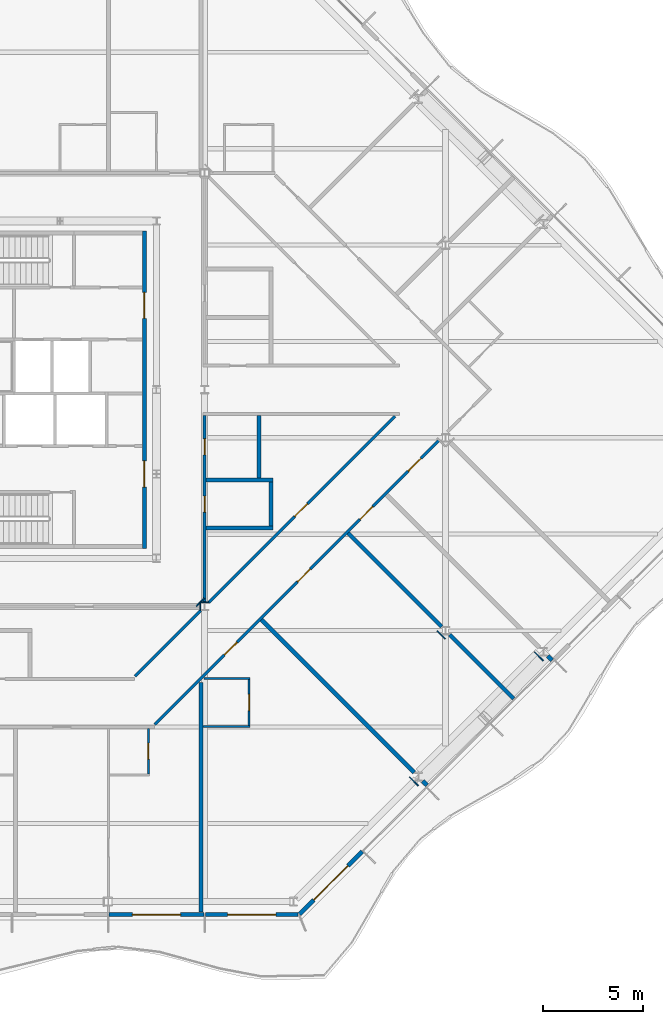
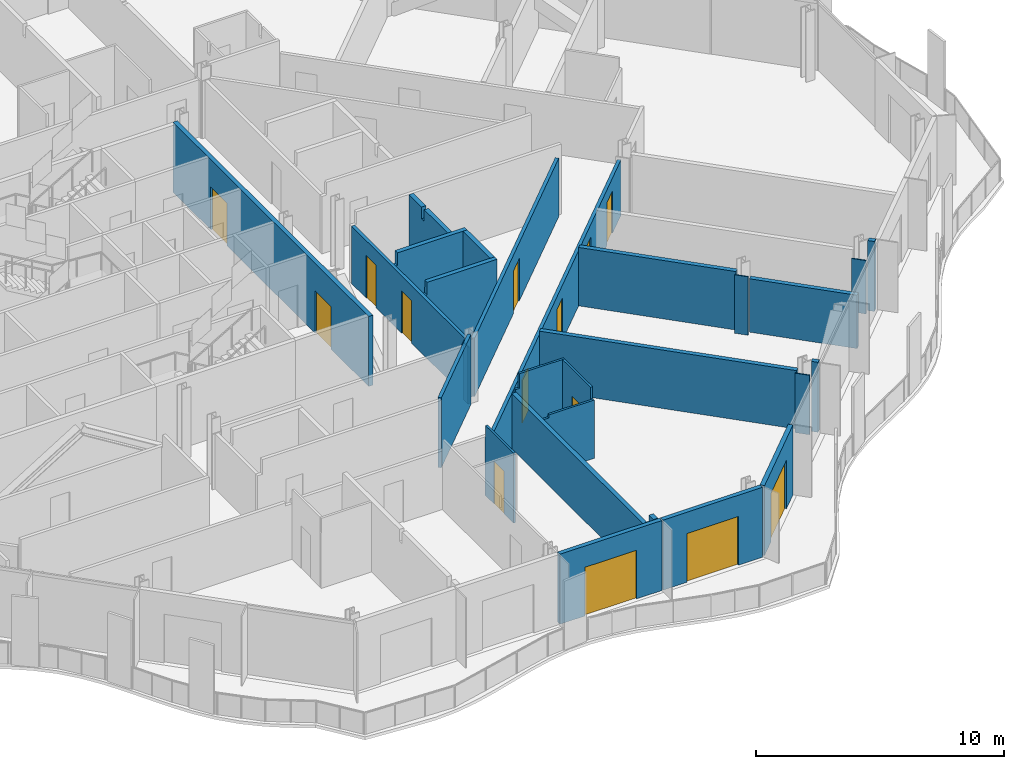
# One storey, part 9 of 17: 28 walls, 14 doors, 14 openings.
"""IFC4 building model written with IfcOpenShell, lengths in metres."""

from ifc_helpers import new_model, si_unit, direction, frame, frame_2d, origin, place, context, subcontext, project, spatial, polyline, rectangle, outline, extrude, material, layer, layer_set, type_object, element, fill, save


model = new_model("IFC4")

# Units and contexts
model_context = context("Model", 3, precision=1e-05, world=origin(), true_north=direction((0.0, 1.0)))
body_context = subcontext(model_context, "Body", "Model", "MODEL_VIEW")
ifc_project = project(units=[si_unit("LENGTHUNIT", "METRE"), si_unit("AREAUNIT", "SQUARE_METRE"), si_unit("VOLUMEUNIT", "CUBIC_METRE"), si_unit("PLANEANGLEUNIT", "RADIAN"), si_unit("MASSUNIT", "GRAM", prefix="KILO")], contexts=[model_context])

# Site, building, storey
site_placement = place(None, origin())
site = spatial("IfcSite", under=ifc_project, at=site_placement, CompositionType="ELEMENT")
building_placement = place(site_placement, origin())
building = spatial("IfcBuilding", under=site, at=building_placement, Name="Cairn Pilgrim Tower", CompositionType="ELEMENT")
storey_placement = place(building_placement, frame((0.0, 0.0, 225.0)))
storey = spatial("IfcBuildingStorey", under=building, at=storey_placement, Name="L57", CompositionType="ELEMENT", Elevation=225.0)

# Wall, opening, door
ifc_material_1 = material(Name="Bronze anodised aluminium insulated sandwich panel with mineral wool fill", Category="aluminium")
ifc_layer_1 = layer(ifc_material_1, 0.199951171875)
ifc_layer_set_1 = layer_set([ifc_layer_1], Name="BRONZE INFILL FRAME WALL 200")
wall_type_1 = type_object("IfcWallType", Name="BRONZE INFILL FRAME WALL 200", PredefinedType="NOTDEFINED", material=ifc_layer_set_1)
wall_1_placement = place(storey_placement, frame((14.429931640625, -23.75, 0.0), z_axis=(0.0, 0.0, 1.0), x_axis=(1.0, 0.0, 0.0)))
wall_1 = element("IfcWall", 1, at=wall_1_placement, inside=storey, type_object=wall_type_1, Name="Bronze infill frame wall IW-S3", PredefinedType="NOTDEFINED", context=body_context, shape_type="SweptSolid", body=[
    extrude(rectangle(XDim=4.739990234375, YDim=0.199951171875, at=frame_2d((2.3701171875, 0.0))), origin(), (0.0, 0.0, 1.0), 3.449951171875),
])
opening_1_placement = place(wall_1_placement, frame((1.169921875, 0.0, 0.0)))
opening_1 = element("IfcOpeningElement", 2, at=opening_1_placement, cuts=wall_1, Name="Opening 5714SB", PredefinedType="OPENING", context=body_context, shape_type="SweptSolid", body=[
    extrude(rectangle(XDim=2.39990234375, YDim=2.39990234375, at=frame_2d((1.199951171875, 1.199951171875))), frame((0.0, 0.10986328125, 0.0), z_axis=(0.0, -1.0, 0.0), x_axis=(1.0, 0.0, 0.0)), (0.0, 0.0, 1.0), 0.219970703125),
])
ifc_material_2 = material(Name="Bronze anodised aluminium frame with tinted low-E glass", Category="aluminium")
door_type_1 = type_object("IfcDoorType", Name="BALCONY SLIDING DOOR 2400x2400", OperationType="DOUBLE_DOOR_SLIDING", PredefinedType="DOOR", material=ifc_material_2)
door_1_placement = place(opening_1_placement, origin())
door_1 = element("IfcDoor", 3, at=door_1_placement, inside=storey, type_object=door_type_1, Name="Balcony sliding door 5714SB", OperationType="SINGLE_SWING_LEFT", OverallHeight=2.39990234375, OverallWidth=2.39990234375, PredefinedType="DOOR", context=body_context, shape_type="SweptSolid", body=[
    extrude(rectangle(XDim=2.39990234375, YDim=2.39990234375, at=frame_2d((1.199951171875, 1.199951171875))), frame((0.0, 0.02490234375, 0.0), z_axis=(0.0, -1.0, 0.0), x_axis=(1.0, 0.0, 0.0)), (0.0, 0.0, 1.0), 0.050048828125),
])
fill(opening_1, door_1)

wall_2_placement = place(storey_placement, frame((19.22998046875, -23.75, 0.0), z_axis=(0.0, 0.0, 1.0), x_axis=(1.0, 0.0, 0.0)))
wall_2 = element("IfcWall", 4, at=wall_2_placement, inside=storey, type_object=wall_type_1, Name="Bronze infill frame wall IW-S4", PredefinedType="NOTDEFINED", context=body_context, shape_type="SweptSolid", body=[
    extrude(rectangle(XDim=4.62646484375, YDim=0.199951171875, at=frame_2d((2.313232421875, 0.0))), origin(), (0.0, 0.0, 1.0), 3.449951171875),
])
opening_2_placement = place(wall_2_placement, frame((1.11865234375, 0.0, 0.0)))
opening_2 = element("IfcOpeningElement", 5, at=opening_2_placement, cuts=wall_2, Name="Opening 5701B", PredefinedType="OPENING", context=body_context, shape_type="SweptSolid", body=[
    extrude(rectangle(XDim=2.39990234375, YDim=2.39990234375, at=frame_2d((1.199951171875, 1.199951171875))), frame((0.0, 0.10986328125, 0.0), z_axis=(0.0, -1.0, 0.0), x_axis=(1.0, 0.0, 0.0)), (0.0, 0.0, 1.0), 0.219970703125),
])
door_2_placement = place(opening_2_placement, origin())
door_2 = element("IfcDoor", 6, at=door_2_placement, inside=storey, type_object=door_type_1, Name="Balcony sliding door 5701B", OperationType="SINGLE_SWING_LEFT", OverallHeight=2.39990234375, OverallWidth=2.39990234375, PredefinedType="DOOR", context=body_context, shape_type="SweptSolid", body=[
    extrude(rectangle(XDim=2.39990234375, YDim=2.39990234375, at=frame_2d((1.199951171875, 1.199951171875))), frame((0.0, 0.02490234375, 0.0), z_axis=(0.0, -1.0, 0.0), x_axis=(1.0, 0.0, 0.0)), (0.0, 0.0, 1.0), 0.050048828125),
])
fill(opening_2, door_2)

wall_3_placement = place(storey_placement, frame((23.9248046875, -23.7216796875, 0.0), z_axis=(0.0, 0.0, 1.0), x_axis=(0.707106781187, 0.707106781187, 0.0)))
wall_3 = element("IfcWall", 7, at=wall_3_placement, inside=storey, type_object=wall_type_1, Name="Bronze infill frame wall IW-SE1", PredefinedType="NOTDEFINED", context=body_context, shape_type="SweptSolid", body=[
    extrude(rectangle(XDim=4.4208984375, YDim=0.199951171875, at=frame_2d((2.21044921875, 0.0))), origin(), (0.0, 0.0, 1.0), 3.449951171875),
])
opening_3_placement = place(wall_3_placement, frame((1.00537109375, 0.0, 0.0)))
opening_3 = element("IfcOpeningElement", 8, at=opening_3_placement, cuts=wall_3, Name="Opening 5701B2", PredefinedType="OPENING", context=body_context, shape_type="SweptSolid", body=[
    extrude(rectangle(XDim=2.39990234375, YDim=2.39990234375, at=frame_2d((1.199951171875, 1.199951171875))), frame((0.0, 0.10986328125, 0.0), z_axis=(0.0, -1.0, 0.0), x_axis=(1.0, 0.0, 0.0)), (0.0, 0.0, 1.0), 0.219970703125),
])
door_3_placement = place(opening_3_placement, origin())
door_3 = element("IfcDoor", 9, at=door_3_placement, inside=storey, type_object=door_type_1, Name="Balcony sliding door 5701B2", OperationType="SINGLE_SWING_LEFT", OverallHeight=2.39990234375, OverallWidth=2.39990234375, PredefinedType="DOOR", context=body_context, shape_type="SweptSolid", body=[
    extrude(rectangle(XDim=2.39990234375, YDim=2.39990234375, at=frame_2d((1.199951171875, 1.199951171875))), frame((0.0, 0.02490234375, 0.0), z_axis=(0.0, -1.0, 0.0), x_axis=(1.0, 0.0, 0.0)), (0.0, 0.0, 1.0), 0.050048828125),
])
fill(opening_3, door_3)

# Wall, openings, doors
ifc_material_3 = material(Name="Concrete C32/40", Category="concrete")
ifc_layer_2 = layer(ifc_material_3, 0.199951171875)
ifc_layer_set_2 = layer_set([ifc_layer_2], Name="CORE OUTER WALL 200 EI 120")
wall_type_2 = type_object("IfcWallType", Name="CORE OUTER WALL 200 EI 120", PredefinedType="SOLIDWALL", material=ifc_layer_set_2)
wall_4_placement = place(storey_placement, frame((16.199951171875, -5.5, 0.0), z_axis=(0.0, 0.0, 1.0), x_axis=(0.0, 1.0, 0.0)))
wall_4 = element("IfcWall", 10, at=wall_4_placement, inside=storey, type_object=wall_type_2, Name="CW:L57:V31", PredefinedType="SOLIDWALL", context=body_context, shape_type="SweptSolid", body=[
    extrude(rectangle(XDim=15.800048828125, YDim=0.199951171875, at=frame_2d((7.89990234375, 0.0))), origin(), (0.0, 0.0, 1.0), 3.449951171875),
])
opening_4_placement = place(wall_4_placement, frame((3.050048828125, 0.0, 0.0)))
opening_4 = element("IfcOpeningElement", 11, at=opening_4_placement, cuts=wall_4, Name="Opening CD-E1", PredefinedType="OPENING", context=body_context, shape_type="SweptSolid", body=[
    extrude(rectangle(XDim=1.300048828125, YDim=2.10009765625, at=frame_2d((0.64990234375, 1.050048828125))), frame((0.0, 0.10986328125, 0.0), z_axis=(0.0, -1.0, 0.0), x_axis=(1.0, 0.0, 0.0)), (0.0, 0.0, 1.0), 0.219970703125),
])
opening_5_placement = place(wall_4_placement, frame((11.449951171875, 0.0, 0.0)))
opening_5 = element("IfcOpeningElement", 12, at=opening_5_placement, cuts=wall_4, Name="Opening CD-E2", PredefinedType="OPENING", context=body_context, shape_type="SweptSolid", body=[
    extrude(rectangle(XDim=1.300048828125, YDim=2.10009765625, at=frame_2d((0.64990234375, 1.050048828125))), frame((0.0, 0.10986328125, 0.0), z_axis=(0.0, -1.0, 0.0), x_axis=(1.0, 0.0, 0.0)), (0.0, 0.0, 1.0), 0.219970703125),
])
ifc_material_4 = material(Name="Painted steel", Category="steel")
door_type_2 = type_object("IfcDoorType", Name="CORE LOBBY DOOR 1300x2100", OperationType="DOUBLE_DOOR_SINGLE_SWING", PredefinedType="DOOR", material=ifc_material_4)
door_4_placement = place(opening_4_placement, origin())
door_4 = element("IfcDoor", 13, at=door_4_placement, inside=storey, type_object=door_type_2, Name="CD-E1", OperationType="DOUBLE_DOOR_SINGLE_SWING", OverallHeight=2.10009765625, OverallWidth=1.300048828125, PredefinedType="DOOR", context=body_context, shape_type="SweptSolid", body=[
    extrude(rectangle(XDim=1.300048828125, YDim=2.10009765625, at=frame_2d((0.64990234375, 1.050048828125))), frame((0.0, 0.02490234375, 0.0), z_axis=(0.0, -1.0, 0.0), x_axis=(1.0, 0.0, 0.0)), (0.0, 0.0, 1.0), 0.050048828125),
])
fill(opening_4, door_4)
door_5_placement = place(opening_5_placement, origin())
door_5 = element("IfcDoor", 14, at=door_5_placement, inside=storey, type_object=door_type_2, Name="CD-E2", OperationType="DOUBLE_DOOR_SINGLE_SWING", OverallHeight=2.10009765625, OverallWidth=1.300048828125, PredefinedType="DOOR", context=body_context, shape_type="SweptSolid", body=[
    extrude(rectangle(XDim=1.300048828125, YDim=2.10009765625, at=frame_2d((0.64990234375, 1.050048828125))), frame((0.0, 0.02490234375, 0.0), z_axis=(0.0, -1.0, 0.0), x_axis=(1.0, 0.0, 0.0)), (0.0, 0.0, 1.0), 0.050048828125),
])
fill(opening_5, door_5)

# Wall, opening, door
ifc_material_5 = material(Name="Gypsum partition")
ifc_layer_3 = layer(ifc_material_5, 0.10009765625)
ifc_layer_set_3 = layer_set([ifc_layer_3], Name="PARTITION 100 DRYWALL")
wall_type_3 = type_object("IfcWallType", Name="PARTITION 100 DRYWALL", PredefinedType="PARTITIONING", material=ifc_layer_set_3)
wall_5_placement = place(storey_placement, frame((16.39990234375, -16.75, 0.0), z_axis=(0.0, 0.0, 1.0), x_axis=(0.0, 1.0, 0.0)))
wall_5 = element("IfcWall", 15, at=wall_5_placement, inside=storey, type_object=wall_type_3, Name="PARTITION W009", PredefinedType="PARTITIONING", context=body_context, shape_type="SweptSolid", body=[
    extrude(outline(polyline([(0.0, 0.0), (2.27490234375, 0.0), (2.27490234375, 2.8798828125), (2.2451171875, 2.8798828125), (2.242919921875, 3.449951171875), (0.0, 3.449951171875), (0.0, 0.0)])), frame((0.0, 0.050048828125, 0.0), z_axis=(0.0, -1.0, 0.0), x_axis=(1.0, 0.0, 0.0)), (0.0, 0.0, 1.0), 0.10009765625),
])
opening_6_placement = place(wall_5_placement, frame((0.75, 0.0, 0.0)))
opening_6 = element("IfcOpeningElement", 16, at=opening_6_placement, cuts=wall_5, Name="Opening 5714A", PredefinedType="OPENING", context=body_context, shape_type="SweptSolid", body=[
    extrude(rectangle(XDim=0.800048828125, YDim=2.10009765625, at=frame_2d((0.39990234375, 1.050048828125))), frame((0.0, 0.06005859375, 0.0), z_axis=(0.0, -1.0, 0.0), x_axis=(1.0, 0.0, 0.0)), (0.0, 0.0, 1.0), 0.1201171875),
])
ifc_material_6 = material(Name="Timber door leaf", Category="wood")
door_type_3 = type_object("IfcDoorType", Name="WC DOOR 800x2100", OperationType="NOTDEFINED", PredefinedType="DOOR", material=ifc_material_6)
door_6_placement = place(opening_6_placement, frame((0.800048828125, 0.0, 0.0), z_axis=(0.0, 0.0, 1.0), x_axis=(-1.0, 0.0, 0.0)))
door_6 = element("IfcDoor", 17, at=door_6_placement, inside=storey, type_object=door_type_3, Name="DOOR 5714A", OperationType="SINGLE_SWING_RIGHT", OverallHeight=2.10009765625, OverallWidth=0.800048828125, PredefinedType="DOOR", context=body_context, shape_type="SweptSolid", body=[
    extrude(rectangle(XDim=0.800048828125, YDim=2.10009765625, at=frame_2d((0.39990234375, 1.050048828125))), frame((0.0, 0.02490234375, 0.0), z_axis=(0.0, -1.0, 0.0), x_axis=(1.0, 0.0, 0.0)), (0.0, 0.0, 1.0), 0.050048828125),
])
fill(opening_6, door_6)

# Wall
wall_6_placement = place(storey_placement, frame((19.114013671875, -14.3798828125, 0.0), z_axis=(0.0, 0.0, 1.0), x_axis=(1.0, 0.0, 0.0)))
element("IfcWall", 18, at=wall_6_placement, inside=storey, type_object=wall_type_3, Name="PARTITION W012", PredefinedType="PARTITIONING", context=body_context, shape_type="SweptSolid", body=[
    extrude(outline(polyline([(0.0, 0.0), (2.35009765625, 0.0), (2.35009765625, 2.8798828125), (0.236083984375, 2.8798828125), (0.23388671875, 2.72998046875), (0.0, 2.72998046875), (0.0, 0.0)])), frame((0.0, 0.050048828125, 0.0), z_axis=(0.0, -1.0, 0.0), x_axis=(1.0, 0.0, 0.0)), (0.0, 0.0, 1.0), 0.10009765625),
])

# Wall, opening, door
wall_7_placement = place(storey_placement, frame((21.4140625, -14.330078125, 0.0), z_axis=(0.0, 0.0, 1.0), x_axis=(0.0, 1.0, 0.0)))
wall_7 = element("IfcWall", 19, at=wall_7_placement, inside=storey, type_object=wall_type_3, Name="PARTITION W014", PredefinedType="PARTITIONING", context=body_context, shape_type="SweptSolid", body=[
    extrude(outline(polyline([(0.0, 0.0), (2.300048828125, 0.0), (2.300048828125, 3.449951171875), (0.034912109375, 3.449951171875), (0.032958984375, 2.8798828125), (0.0, 2.8798828125), (0.0, 0.0)])), frame((0.0, 0.050048828125, 0.0), z_axis=(0.0, -1.0, 0.0), x_axis=(1.0, 0.0, 0.0)), (0.0, 0.0, 1.0), 0.10009765625),
])
opening_7_placement = place(wall_7_placement, frame((0.75, 0.0, 0.0)))
opening_7 = element("IfcOpeningElement", 20, at=opening_7_placement, cuts=wall_7, Name="Opening 5701A", PredefinedType="OPENING", context=body_context, shape_type="SweptSolid", body=[
    extrude(rectangle(XDim=0.800048828125, YDim=2.10009765625, at=frame_2d((0.39990234375, 1.050048828125))), frame((0.0, 0.06005859375, 0.0), z_axis=(0.0, -1.0, 0.0), x_axis=(1.0, 0.0, 0.0)), (0.0, 0.0, 1.0), 0.1201171875),
])
door_7_placement = place(opening_7_placement, frame((0.800048828125, 0.0, 0.0), z_axis=(0.0, 0.0, 1.0), x_axis=(-1.0, 0.0, 0.0)))
door_7 = element("IfcDoor", 21, at=door_7_placement, inside=storey, type_object=door_type_3, Name="DOOR 5701A", OperationType="SINGLE_SWING_LEFT", OverallHeight=2.10009765625, OverallWidth=0.800048828125, PredefinedType="DOOR", context=body_context, shape_type="SweptSolid", body=[
    extrude(rectangle(XDim=0.800048828125, YDim=2.10009765625, at=frame_2d((0.39990234375, 1.050048828125))), frame((0.0, 0.02490234375, 0.0), z_axis=(0.0, -1.0, 0.0), x_axis=(1.0, 0.0, 0.0)), (0.0, 0.0, 1.0), 0.050048828125),
])
fill(opening_7, door_7)

# Wall
wall_8_placement = place(storey_placement, frame((19.170166015625, -11.97998046875, 0.0), z_axis=(0.0, 0.0, 1.0), x_axis=(1.0, 0.0, 0.0)))
element("IfcWall", 22, at=wall_8_placement, inside=storey, type_object=wall_type_3, Name="PARTITION W019", PredefinedType="PARTITIONING", context=body_context, shape_type="SweptSolid", body=[
    extrude(outline(polyline([(0.0, 0.0), (2.2939453125, 0.0), (2.2939453125, 3.449951171875), (0.179931640625, 3.449951171875), (0.177978515625, 2.72998046875), (0.0, 2.72998046875), (0.0, 0.0)])), frame((0.0, 0.050048828125, 0.0), z_axis=(0.0, -1.0, 0.0), x_axis=(1.0, 0.0, 0.0)), (0.0, 0.0, 1.0), 0.10009765625),
])

# Wall, openings, doors
ifc_layer_4 = layer(ifc_material_5, 0.14990234375)
ifc_layer_set_4 = layer_set([ifc_layer_4], Name="PARTITION 150 DRYWALL EI 60")
wall_type_4 = type_object("IfcWallType", Name="PARTITION 150 DRYWALL EI 60", PredefinedType="PARTITIONING", material=ifc_layer_set_4)
wall_9_placement = place(storey_placement, frame((16.721923828125, -14.27197265625, 0.0), z_axis=(0.0, 0.0, 1.0), x_axis=(0.707106781187, 0.707106781187, 0.0)))
wall_9 = element("IfcWall", 23, at=wall_9_placement, inside=storey, type_object=wall_type_4, Name="PARTITION W013", PredefinedType="PARTITIONING", context=body_context, shape_type="SweptSolid", body=[
    extrude(rectangle(XDim=20.04931640625, YDim=0.14990234375, at=frame_2d((10.024658203125, 0.0))), origin(), (0.0, 0.0, 1.0), 2.72998046875),
])
opening_8_placement = place(wall_9_placement, frame((4.891845703125, 0.0, 0.0)))
opening_8 = element("IfcOpeningElement", 24, at=opening_8_placement, cuts=wall_9, Name="Opening 5701", PredefinedType="OPENING", context=body_context, shape_type="SweptSolid", body=[
    extrude(rectangle(XDim=0.89990234375, YDim=2.10009765625, at=frame_2d((0.449951171875, 1.050048828125))), frame((0.0, 0.0849609375, 0.0), z_axis=(0.0, -1.0, 0.0), x_axis=(1.0, 0.0, 0.0)), (0.0, 0.0, 1.0), 0.169921875),
])
opening_9_placement = place(wall_9_placement, frame((10.0419921875, 0.0, 0.0)))
opening_9 = element("IfcOpeningElement", 25, at=opening_9_placement, cuts=wall_9, Name="Opening 5702", PredefinedType="OPENING", context=body_context, shape_type="SweptSolid", body=[
    extrude(rectangle(XDim=0.89990234375, YDim=2.10009765625, at=frame_2d((0.449951171875, 1.050048828125))), frame((0.0, 0.0849609375, 0.0), z_axis=(0.0, -1.0, 0.0), x_axis=(1.0, 0.0, 0.0)), (0.0, 0.0, 1.0), 0.169921875),
])
opening_10_placement = place(wall_9_placement, frame((14.443115234375, 0.0, 0.0)))
opening_10 = element("IfcOpeningElement", 26, at=opening_10_placement, cuts=wall_9, Name="Opening 5703", PredefinedType="OPENING", context=body_context, shape_type="SweptSolid", body=[
    extrude(rectangle(XDim=0.89990234375, YDim=2.10009765625, at=frame_2d((0.449951171875, 1.050048828125))), frame((0.0, 0.0849609375, 0.0), z_axis=(0.0, -1.0, 0.0), x_axis=(1.0, 0.0, 0.0)), (0.0, 0.0, 1.0), 0.169921875),
])
opening_11_placement = place(wall_9_placement, frame((17.837158203125, 0.0, 0.0)))
opening_11 = element("IfcOpeningElement", 27, at=opening_11_placement, cuts=wall_9, Name="Opening 5704", PredefinedType="OPENING", context=body_context, shape_type="SweptSolid", body=[
    extrude(rectangle(XDim=0.89990234375, YDim=2.10009765625, at=frame_2d((0.449951171875, 1.050048828125))), frame((0.0, 0.0849609375, 0.0), z_axis=(0.0, -1.0, 0.0), x_axis=(1.0, 0.0, 0.0)), (0.0, 0.0, 1.0), 0.169921875),
])
door_type_4 = type_object("IfcDoorType", Name="ROOM DOOR 900x2100 FD30S", OperationType="NOTDEFINED", PredefinedType="DOOR", material=ifc_material_6)
door_8_placement = place(opening_8_placement, frame((0.89990234375, 0.0, 0.0), z_axis=(0.0, 0.0, 1.0), x_axis=(-1.0, 0.0, 0.0)))
door_8 = element("IfcDoor", 28, at=door_8_placement, inside=storey, type_object=door_type_4, Name="DOOR 5701", OperationType="SINGLE_SWING_LEFT", OverallHeight=2.10009765625, OverallWidth=0.89990234375, PredefinedType="DOOR", context=body_context, shape_type="SweptSolid", body=[
    extrude(rectangle(XDim=0.89990234375, YDim=2.10009765625, at=frame_2d((0.449951171875, 1.050048828125))), frame((0.0, 0.02490234375, 0.0), z_axis=(0.0, -1.0, 0.0), x_axis=(1.0, 0.0, 0.0)), (0.0, 0.0, 1.0), 0.050048828125),
])
fill(opening_8, door_8)
door_type_5 = type_object("IfcDoorType", Name="SERVICE DOOR 900x2100 FD30S", OperationType="NOTDEFINED", PredefinedType="DOOR", material=ifc_material_6)
door_9_placement = place(opening_9_placement, frame((0.89990234375, 0.0, 0.0), z_axis=(0.0, 0.0, 1.0), x_axis=(-1.0, 0.0, 0.0)))
door_9 = element("IfcDoor", 29, at=door_9_placement, inside=storey, type_object=door_type_5, Name="DOOR 5702", OperationType="SINGLE_SWING_LEFT", OverallHeight=2.10009765625, OverallWidth=0.89990234375, PredefinedType="DOOR", context=body_context, shape_type="SweptSolid", body=[
    extrude(rectangle(XDim=0.89990234375, YDim=2.10009765625, at=frame_2d((0.449951171875, 1.050048828125))), frame((0.0, 0.02490234375, 0.0), z_axis=(0.0, -1.0, 0.0), x_axis=(1.0, 0.0, 0.0)), (0.0, 0.0, 1.0), 0.050048828125),
])
fill(opening_9, door_9)
door_10_placement = place(opening_10_placement, frame((0.89990234375, 0.0, 0.0), z_axis=(0.0, 0.0, 1.0), x_axis=(-1.0, 0.0, 0.0)))
door_10 = element("IfcDoor", 30, at=door_10_placement, inside=storey, type_object=door_type_5, Name="DOOR 5703", OperationType="SINGLE_SWING_LEFT", OverallHeight=2.10009765625, OverallWidth=0.89990234375, PredefinedType="DOOR", context=body_context, shape_type="SweptSolid", body=[
    extrude(rectangle(XDim=0.89990234375, YDim=2.10009765625, at=frame_2d((0.449951171875, 1.050048828125))), frame((0.0, 0.02490234375, 0.0), z_axis=(0.0, -1.0, 0.0), x_axis=(1.0, 0.0, 0.0)), (0.0, 0.0, 1.0), 0.050048828125),
])
fill(opening_10, door_10)
door_11_placement = place(opening_11_placement, frame((0.89990234375, 0.0, 0.0), z_axis=(0.0, 0.0, 1.0), x_axis=(-1.0, 0.0, 0.0)))
door_11 = element("IfcDoor", 31, at=door_11_placement, inside=storey, type_object=door_type_5, Name="DOOR 5704", OperationType="SINGLE_SWING_LEFT", OverallHeight=2.10009765625, OverallWidth=0.89990234375, PredefinedType="DOOR", context=body_context, shape_type="SweptSolid", body=[
    extrude(rectangle(XDim=0.89990234375, YDim=2.10009765625, at=frame_2d((0.449951171875, 1.050048828125))), frame((0.0, 0.02490234375, 0.0), z_axis=(0.0, -1.0, 0.0), x_axis=(1.0, 0.0, 0.0)), (0.0, 0.0, 1.0), 0.050048828125),
])
fill(opening_11, door_11)

# Wall
wall_10_placement = place(storey_placement, frame((15.72802734375, -11.8720703125, 0.0), z_axis=(0.0, 0.0, 1.0), x_axis=(0.707080416772, 0.707133144618, 0.0)))
element("IfcWall", 32, at=wall_10_placement, inside=storey, type_object=wall_type_4, Name="PARTITION W024", PredefinedType="PARTITIONING", context=body_context, shape_type="SweptSolid", body=[
    extrude(rectangle(XDim=4.630126953125, YDim=0.14990234375, at=frame_2d((2.31494140625, 0.0))), origin(), (0.0, 0.0, 1.0), 3.449951171875),
])

# Wall, openings, doors
wall_11_placement = place(storey_placement, frame((19.199951171875, -8.20361328125, 0.0), z_axis=(0.0, 0.0, 1.0), x_axis=(0.0, 1.0, 0.0)))
wall_11 = element("IfcWall", 33, at=wall_11_placement, inside=storey, type_object=wall_type_4, Name="PARTITION W033", PredefinedType="PARTITIONING", context=body_context, shape_type="SweptSolid", body=[
    extrude(rectangle(XDim=9.32861328125, YDim=0.14990234375, at=frame_2d((4.664306640625, 0.0))), origin(), (0.0, 0.0, 1.0), 2.830078125),
])
opening_12_placement = place(wall_11_placement, frame((7.353515625, 0.0, 0.0)))
opening_12 = element("IfcOpeningElement", 34, at=opening_12_placement, cuts=wall_11, Name="Opening 5715", PredefinedType="OPENING", context=body_context, shape_type="SweptSolid", body=[
    extrude(rectangle(XDim=0.800048828125, YDim=2.10009765625, at=frame_2d((0.39990234375, 1.050048828125))), frame((0.0, 0.0849609375, 0.0), z_axis=(0.0, -1.0, 0.0), x_axis=(1.0, 0.0, 0.0)), (0.0, 0.0, 1.0), 0.169921875),
])
opening_13_placement = place(wall_11_placement, frame((4.50341796875, 0.0, 0.0)))
opening_13 = element("IfcOpeningElement", 35, at=opening_13_placement, cuts=wall_11, Name="Opening 5718", PredefinedType="OPENING", context=body_context, shape_type="SweptSolid", body=[
    extrude(rectangle(XDim=0.800048828125, YDim=2.10009765625, at=frame_2d((0.39990234375, 1.050048828125))), frame((0.0, 0.0849609375, 0.0), z_axis=(0.0, -1.0, 0.0), x_axis=(1.0, 0.0, 0.0)), (0.0, 0.0, 1.0), 0.169921875),
])
door_type_6 = type_object("IfcDoorType", Name="WC DOOR 800x2100 FD30S", OperationType="NOTDEFINED", PredefinedType="DOOR", material=ifc_material_6)
door_12_placement = place(opening_12_placement, frame((0.800048828125, 0.0, 0.0), z_axis=(0.0, 0.0, 1.0), x_axis=(-1.0, 0.0, 0.0)))
door_12 = element("IfcDoor", 36, at=door_12_placement, inside=storey, type_object=door_type_6, Name="DOOR 5715", OperationType="SINGLE_SWING_RIGHT", OverallHeight=2.10009765625, OverallWidth=0.800048828125, PredefinedType="DOOR", context=body_context, shape_type="SweptSolid", body=[
    extrude(rectangle(XDim=0.800048828125, YDim=2.10009765625, at=frame_2d((0.39990234375, 1.050048828125))), frame((0.0, 0.02490234375, 0.0), z_axis=(0.0, -1.0, 0.0), x_axis=(1.0, 0.0, 0.0)), (0.0, 0.0, 1.0), 0.050048828125),
])
fill(opening_12, door_12)
door_13_placement = place(opening_13_placement, frame((0.800048828125, 0.0, 0.0), z_axis=(0.0, 0.0, 1.0), x_axis=(-1.0, 0.0, 0.0)))
door_13 = element("IfcDoor", 37, at=door_13_placement, inside=storey, type_object=door_type_6, Name="DOOR 5718", OperationType="SINGLE_SWING_RIGHT", OverallHeight=2.10009765625, OverallWidth=0.800048828125, PredefinedType="DOOR", context=body_context, shape_type="SweptSolid", body=[
    extrude(rectangle(XDim=0.800048828125, YDim=2.10009765625, at=frame_2d((0.39990234375, 1.050048828125))), frame((0.0, 0.02490234375, 0.0), z_axis=(0.0, -1.0, 0.0), x_axis=(1.0, 0.0, 0.0)), (0.0, 0.0, 1.0), 0.050048828125),
])
fill(opening_13, door_13)

# Wall, opening, door
wall_12_placement = place(storey_placement, frame((19.39794921875, -8.201904296875, 0.0), z_axis=(0.0, 0.0, 1.0), x_axis=(0.707116088468, 0.707097473782, 0.0)))
wall_12 = element("IfcWall", 38, at=wall_12_placement, inside=storey, type_object=wall_type_4, Name="PARTITION W034", PredefinedType="PARTITIONING", context=body_context, shape_type="SweptSolid", body=[
    extrude(rectangle(XDim=13.115478515625, YDim=0.14990234375, at=frame_2d((6.5576171875, 0.0))), origin(), (0.0, 0.0, 1.0), 2.8798828125),
])
opening_14_placement = place(wall_12_placement, frame((6.05810546875, 0.0, 0.0)))
opening_14 = element("IfcOpeningElement", 39, at=opening_14_placement, cuts=wall_12, Name="Opening 5720", PredefinedType="OPENING", context=body_context, shape_type="SweptSolid", body=[
    extrude(rectangle(XDim=0.89990234375, YDim=2.10009765625, at=frame_2d((0.449951171875, 1.050048828125))), frame((0.0, 0.0849609375, 0.0), z_axis=(0.0, -1.0, 0.0), x_axis=(1.0, 0.0, 0.0)), (0.0, 0.0, 1.0), 0.169921875),
])
door_14_placement = place(opening_14_placement, origin())
door_14 = element("IfcDoor", 40, at=door_14_placement, inside=storey, type_object=door_type_5, Name="DOOR 5720", OperationType="SINGLE_SWING_LEFT", OverallHeight=2.10009765625, OverallWidth=0.89990234375, PredefinedType="DOOR", context=body_context, shape_type="SweptSolid", body=[
    extrude(rectangle(XDim=0.89990234375, YDim=2.10009765625, at=frame_2d((0.449951171875, 1.050048828125))), frame((0.0, 0.02490234375, 0.0), z_axis=(0.0, -1.0, 0.0), x_axis=(1.0, 0.0, 0.0)), (0.0, 0.0, 1.0), 0.050048828125),
])
fill(opening_14, door_14)

# Walls
ifc_layer_5 = layer(ifc_material_5, 0.050048828125)
ifc_layer_set_5 = layer_set([ifc_layer_5], Name="PARTITION 50 DRYWALL EI 60")
wall_type_5 = type_object("IfcWallType", Name="PARTITION 50 DRYWALL EI 60", PredefinedType="PARTITIONING", material=ifc_layer_set_5)
wall_13_placement = place(storey_placement, frame((29.833740234375, -17.324462890625, 0.0), z_axis=(0.0, 0.0, 1.0), x_axis=(-0.706906496032, 0.707307009627, 0.0)))
element("IfcWall", 41, at=wall_13_placement, inside=storey, type_object=wall_type_5, Name="COLUMN CASING WC02", PredefinedType="PARTITIONING", context=body_context, shape_type="SweptSolid", body=[
    extrude(rectangle(XDim=0.609619140625, YDim=0.050048828125, at=frame_2d((0.3046875, 0.0))), origin(), (0.0, 0.0, 1.0), 2.929931640625),
])
wall_14_placement = place(storey_placement, frame((31.182373046875, -10.013671875, 0.0), z_axis=(0.0, 0.0, 1.0), x_axis=(-0.707106781187, 0.707106781187, 0.0)))
element("IfcWall", 42, at=wall_14_placement, inside=storey, type_object=wall_type_5, Name="COLUMN CASING WC04", PredefinedType="PARTITIONING", context=body_context, shape_type="SweptSolid", body=[
    extrude(rectangle(XDim=0.56005859375, YDim=0.050048828125, at=frame_2d((0.280029296875, 0.0))), origin(), (0.0, 0.0, 1.0), 2.8798828125),
])
wall_15_placement = place(storey_placement, frame((18.786376953125, -8.38232421875, 0.0), z_axis=(0.0, 0.0, 1.0), x_axis=(0.707106781187, 0.707106781187, 0.0)))
element("IfcWall", 43, at=wall_15_placement, inside=storey, type_object=wall_type_5, Name="COLUMN CASING WC06", PredefinedType="PARTITIONING", context=body_context, shape_type="SweptSolid", body=[
    extrude(rectangle(XDim=0.56005859375, YDim=0.050048828125, at=frame_2d((0.280029296875, 0.0))), origin(), (0.0, 0.0, 1.0), 2.830078125),
])
wall_16_placement = place(storey_placement, frame((36.05810546875, -11.10009765625, 0.0), z_axis=(0.0, 0.0, 1.0), x_axis=(-0.707307009627, 0.706906496032, 0.0)))
element("IfcWall", 44, at=wall_16_placement, inside=storey, type_object=wall_type_5, Name="COLUMN CASING WC07", PredefinedType="PARTITIONING", context=body_context, shape_type="SweptSolid", body=[
    extrude(rectangle(XDim=0.609619140625, YDim=0.050048828125, at=frame_2d((0.3046875, 0.0))), origin(), (0.0, 0.0, 1.0), 2.6298828125),
])
wall_17_placement = place(storey_placement, frame((19.00048828125, -8.178466796875, 0.0), z_axis=(0.0, 0.0, 1.0), x_axis=(1.0, 0.0, 0.0)))
element("IfcWall", 45, at=wall_17_placement, inside=storey, type_object=wall_type_5, Name="COLUMN CASING WC13", PredefinedType="PARTITIONING", context=body_context, shape_type="SweptSolid", body=[
    extrude(rectangle(XDim=0.39892578125, YDim=0.050048828125, at=frame_2d((0.199462890625, 0.0))), origin(), (0.0, 0.0, 1.0), 2.830078125),
])
wall_18_placement = place(storey_placement, frame((18.9755859375, -8.596435546875, 0.0), z_axis=(0.0, 0.0, 1.0), x_axis=(0.0, 1.0, 0.0)))
element("IfcWall", 46, at=wall_18_placement, inside=storey, type_object=wall_type_5, Name="COLUMN CASING WC14", PredefinedType="PARTITIONING", context=body_context, shape_type="SweptSolid", body=[
    extrude(rectangle(XDim=0.392822265625, YDim=0.050048828125, at=frame_2d((0.1962890625, 0.0))), origin(), (0.0, 0.0, 1.0), 2.830078125),
])
ifc_layer_6 = layer(ifc_material_5, 0.199951171875)
ifc_layer_set_6 = layer_set([ifc_layer_6], Name="SHAFT WALL 200 GYPSUM EI 60")
wall_type_6 = type_object("IfcWallType", Name="SHAFT WALL 200 GYPSUM EI 60", PredefinedType="PARTITIONING", material=ifc_layer_set_6)
wall_19_placement = place(storey_placement, frame((19.013916015625, -23.6201171875, 0.0), z_axis=(0.0, 0.0, 1.0), x_axis=(0.0, 1.0, 0.0)))
element("IfcWall", 47, at=wall_19_placement, inside=storey, type_object=wall_type_6, Name="PARTITION W003", PredefinedType="PARTITIONING", context=body_context, shape_type="SweptSolid", body=[
    extrude(outline(polyline([(0.0, 0.0), (11.43408203125, 0.0), (11.433837890625, 2.72998046875), (0.639892578125, 2.72998046875), (0.637939453125, 2.929931640625), (0.3701171875, 2.929931640625), (0.367919921875, 3.449951171875), (0.0, 3.449951171875), (0.0, 0.0)])), frame((0.0, 0.10009765625, 0.0), z_axis=(0.0, -1.0, 0.0), x_axis=(1.0, 0.0, 0.0)), (0.0, 0.0, 1.0), 0.199951171875),
])
wall_20_placement = place(storey_placement, frame((30.268798828125, -17.292724609375, 0.0), z_axis=(0.0, 0.0, 1.0), x_axis=(-0.707106781187, 0.707106781187, 0.0)))
element("IfcWall", 48, at=wall_20_placement, inside=storey, type_object=wall_type_6, Name="PARTITION W005", PredefinedType="PARTITIONING", context=body_context, shape_type="SweptSolid", body=[
    extrude(rectangle(XDim=0.28515625, YDim=0.199951171875, at=frame_2d((0.142578125, 0.0))), origin(), (0.0, 0.0, 1.0), 3.449951171875),
])
wall_21_placement = place(storey_placement, frame((29.635986328125, -16.66015625, 0.0), z_axis=(0.0, 0.0, 1.0), x_axis=(-0.707095420673, 0.707118141518, 0.0)))
element("IfcWall", 49, at=wall_21_placement, inside=storey, type_object=wall_type_6, Name="PARTITION W010", PredefinedType="PARTITIONING", context=body_context, shape_type="SweptSolid", body=[
    extrude(rectangle(XDim=10.7451171875, YDim=0.199951171875, at=frame_2d((5.37255859375, 0.0))), origin(), (0.0, 0.0, 1.0), 2.8798828125),
])
wall_22_placement = place(storey_placement, frame((34.580810546875, -12.980712890625, 0.0), z_axis=(0.0, 0.0, 1.0), x_axis=(-0.707133900936, 0.707079660397, 0.0)))
element("IfcWall", 50, at=wall_22_placement, inside=storey, type_object=wall_type_6, Name="PARTITION W016", PredefinedType="PARTITIONING", context=body_context, shape_type="SweptSolid", body=[
    extrude(rectangle(XDim=4.5009765625, YDim=0.199951171875, at=frame_2d((2.25048828125, 0.0))), origin(), (0.0, 0.0, 1.0), 2.6298828125),
])
wall_23_placement = place(storey_placement, frame((36.492919921875, -11.06884765625, 0.0), z_axis=(0.0, 0.0, 1.0), x_axis=(-0.707534423513, 0.706678880075, 0.0)))
element("IfcWall", 51, at=wall_23_placement, inside=storey, type_object=wall_type_6, Name="PARTITION W025", PredefinedType="PARTITIONING", context=body_context, shape_type="SweptSolid", body=[
    extrude(rectangle(XDim=0.285400390625, YDim=0.199951171875, at=frame_2d((0.142578125, 0.0))), origin(), (0.0, 0.0, 1.0), 3.449951171875),
])
wall_24_placement = place(storey_placement, frame((31.001953125, -9.402099609375, 0.0), z_axis=(0.0, 0.0, 1.0), x_axis=(-0.707088226093, 0.707125335793, 0.0)))
element("IfcWall", 52, at=wall_24_placement, inside=storey, type_object=wall_type_6, Name="PARTITION W029", PredefinedType="PARTITIONING", context=body_context, shape_type="SweptSolid", body=[
    extrude(rectangle(XDim=6.578857421875, YDim=0.199951171875, at=frame_2d((3.28955078125, 0.0))), origin(), (0.0, 0.0, 1.0), 2.8798828125),
])
wall_25_placement = place(storey_placement, frame((19.27490234375, -4.5, 0.0), z_axis=(0.0, 0.0, 1.0), x_axis=(1.0, 0.0, 0.0)))
element("IfcWall", 53, at=wall_25_placement, inside=storey, type_object=wall_type_6, Name="PARTITION W038", PredefinedType="PARTITIONING", context=body_context, shape_type="SweptSolid", body=[
    extrude(outline(polyline([(0.0, 0.0), (3.3251953125, 0.0), (3.324951171875, 3.449951171875), (0.074951171875, 3.449951171875), (0.072998046875, 2.830078125), (0.0, 2.830078125), (0.0, 0.0)])), frame((0.0, 0.10009765625, 0.0), z_axis=(0.0, -1.0, 0.0), x_axis=(1.0, 0.0, 0.0)), (0.0, 0.0, 1.0), 0.199951171875),
])
wall_26_placement = place(storey_placement, frame((22.5, -4.39990234375, 0.0), z_axis=(0.0, 0.0, 1.0), x_axis=(0.0, 1.0, 0.0)))
element("IfcWall", 54, at=wall_26_placement, inside=storey, type_object=wall_type_6, Name="PARTITION W039", PredefinedType="PARTITIONING", context=body_context, shape_type="SweptSolid", body=[
    extrude(rectangle(XDim=2.199951171875, YDim=0.199951171875, at=frame_2d((1.10009765625, 0.0))), origin(), (0.0, 0.0, 1.0), 3.449951171875),
])
wall_27_placement = place(storey_placement, frame((19.27490234375, -2.10009765625, 0.0), z_axis=(0.0, 0.0, 1.0), x_axis=(1.0, 0.0, 0.0)))
element("IfcWall", 55, at=wall_27_placement, inside=storey, type_object=wall_type_6, Name="PARTITION W042", PredefinedType="PARTITIONING", context=body_context, shape_type="SweptSolid", body=[
    extrude(outline(polyline([(0.0, 0.0), (3.3251953125, 0.0), (3.324951171875, 3.449951171875), (0.074951171875, 3.449951171875), (0.072998046875, 2.830078125), (0.0, 2.830078125), (0.0, 0.0)])), frame((0.0, 0.10009765625, 0.0), z_axis=(0.0, -1.0, 0.0), x_axis=(1.0, 0.0, 0.0)), (0.0, 0.0, 1.0), 0.199951171875),
])
wall_28_placement = place(storey_placement, frame((21.89990234375, -2.0, 0.0), z_axis=(0.0, 0.0, 1.0), x_axis=(0.0, 1.0, 0.0)))
element("IfcWall", 56, at=wall_28_placement, inside=storey, type_object=wall_type_6, Name="PARTITION W043", PredefinedType="PARTITIONING", context=body_context, shape_type="SweptSolid", body=[
    extrude(outline(polyline([(0.0, 0.0), (3.125, 0.0), (3.125, 3.449951171875), (2.10498046875, 3.449951171875), (2.10302734375, 2.8798828125), (1.89501953125, 2.8798828125), (1.89306640625, 3.449951171875), (0.0, 3.449951171875), (0.0, 0.0)])), frame((0.0, 0.10009765625, 0.0), z_axis=(0.0, -1.0, 0.0), x_axis=(1.0, 0.0, 0.0)), (0.0, 0.0, 1.0), 0.199951171875),
])

save(model, "model.ifc")
